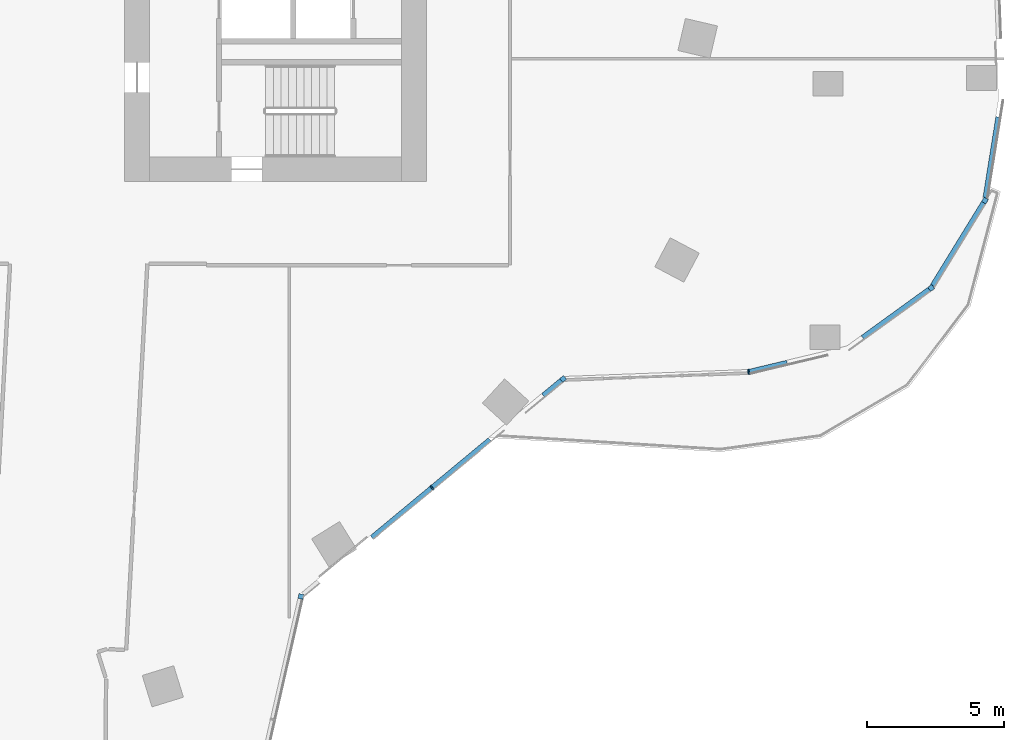
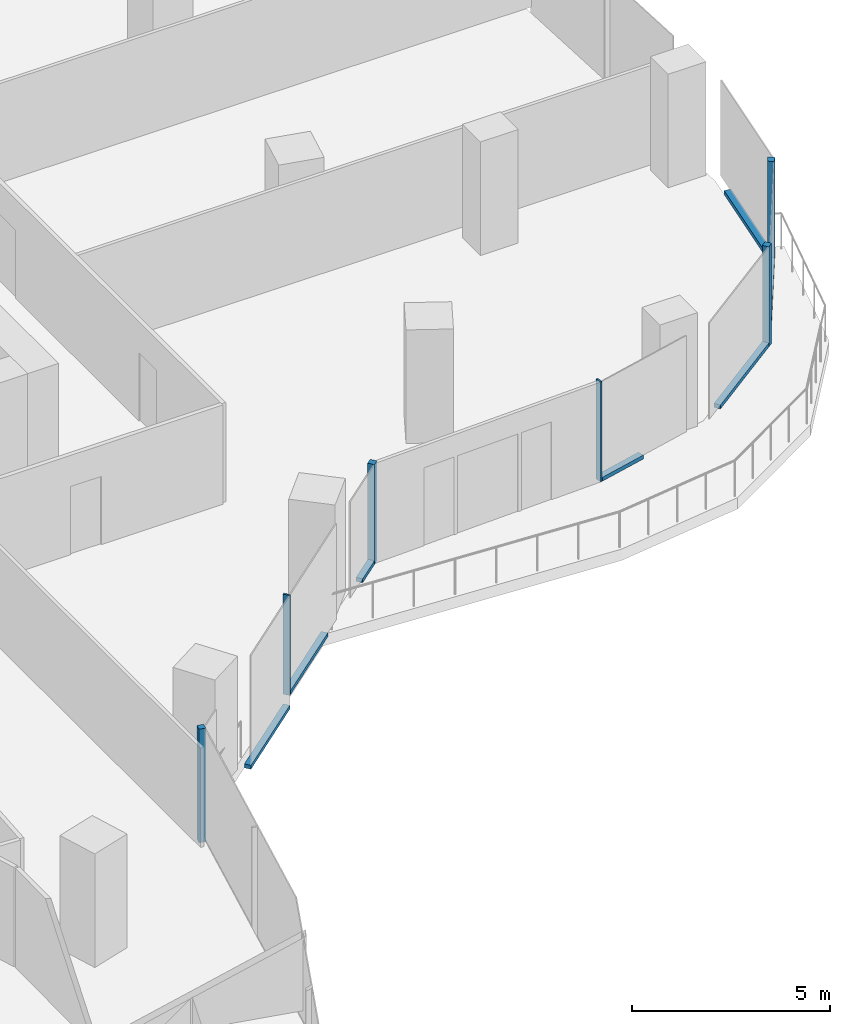
# One storey, part 7 of 28: 13 members, 7 elements without a shape of their own.
"""IFC4 building model written with IfcOpenShell, lengths in metres."""

from ifc_helpers import new_model, si_unit, direction, frame, origin, origin_2d, place, context, subcontext, project, spatial, rectangle, extrude, material, material_profile, profile_set, type_object, element, aggregate, save


model = new_model("IFC4")

# Units and contexts
model_context = context("Model", 3, precision=1e-05, world=origin(), true_north=direction((0.0, 1.0)))
body_context = subcontext(model_context, "Body", "Model", "MODEL_VIEW")
ifc_project = project(units=[si_unit("LENGTHUNIT", "METRE"), si_unit("AREAUNIT", "SQUARE_METRE"), si_unit("VOLUMEUNIT", "CUBIC_METRE"), si_unit("PLANEANGLEUNIT", "RADIAN"), si_unit("MASSUNIT", "GRAM", prefix="KILO")], contexts=[model_context])

# Site, building, storey
site_placement = place(None, origin())
site = spatial("IfcSite", under=ifc_project, at=site_placement, CompositionType="ELEMENT")
building_placement = place(site_placement, origin())
building = spatial("IfcBuilding", under=site, at=building_placement, Name="Orlundy Tower", CompositionType="ELEMENT")
storey_placement = place(building_placement, frame((0.0, 0.0, 167.10009765625)))
storey = spatial("IfcBuildingStorey", under=building, at=storey_placement, Name="L43", CompositionType="ELEMENT", Elevation=167.10009765625)

# Curtain wall, member
ifc_material_1 = material(Name="Aluminium bronze anodised", Category="aluminium")
curtain_wall_type = type_object("IfcCurtainWallType", Name="CW1 wall", PredefinedType="NOTDEFINED", material=ifc_material_1)
curtain_wall_1_placement = place(storey_placement, origin())
curtain_wall_1 = element("IfcCurtainWall", 1, at=curtain_wall_1_placement, inside=storey, type_object=curtain_wall_type, Name="CW1 run 013", PredefinedType="NOTDEFINED")
ifc_material_2 = material(Name="Aluminium bronze anodised", Category="aluminium")
ifc_material_profile_1 = material_profile(ifc_material_2, rectangle(XDim=0.179931640625, YDim=0.179931640625, at=origin_2d()), Name="CW1 corner post 180x180")
ifc_profile_set_1 = profile_set([ifc_material_profile_1], Name="Aluminium bronze anodised")
member_type_1 = type_object("IfcMemberType", Name="CW1 corner post 180x180", PredefinedType="MULLION", material=ifc_profile_set_1)
member_1_placement = place(storey_placement, frame((39.3701171875, -12.69091796875, 0.0), z_axis=(0.0, 0.0, 1.0), x_axis=(0.851824977163, -0.523826505898, 0.0)))
member_1 = element("IfcMember", 2, at=member_1_placement, type_object=member_type_1, Name="CW1 mullion 37", PredefinedType="MULLION", context=body_context, shape_type="SweptSolid", body=[
    extrude(rectangle(XDim=0.179931640625, YDim=0.179931640625, at=origin_2d()), origin(), (0.0, 0.0, 1.0), 3.079833984375),
])

curtain_wall_2_placement = place(storey_placement, origin())
curtain_wall_2 = element("IfcCurtainWall", 3, at=curtain_wall_2_placement, inside=storey, type_object=curtain_wall_type, Name="CW1 run 014", PredefinedType="NOTDEFINED")
member_2_placement = place(storey_placement, frame((37.4091796875, -15.87939453125, 0.0), z_axis=(0.0, 0.0, 1.0), x_axis=(0.586534223909, -0.809924443503, 0.0)))
member_2 = element("IfcMember", 4, at=member_2_placement, type_object=member_type_1, Name="CW1 mullion 38", PredefinedType="MULLION", context=body_context, shape_type="SweptSolid", body=[
    extrude(rectangle(XDim=0.179931640625, YDim=0.179931640625, at=origin_2d()), origin(), (0.0, 0.0, 1.0), 3.079833984375),
])

curtain_wall_3_placement = place(storey_placement, origin())
curtain_wall_3 = element("IfcCurtainWall", 5, at=curtain_wall_3_placement, inside=storey, type_object=curtain_wall_type, Name="CW1 run 017", PredefinedType="NOTDEFINED")
member_3_placement = place(storey_placement, frame((23.989013671875, -19.19677734375, 0.0), z_axis=(0.0, 0.0, 1.0), x_axis=(0.638331239674, -0.769761799816, 0.0)))
member_3 = element("IfcMember", 6, at=member_3_placement, type_object=member_type_1, Name="CW1 mullion 41", PredefinedType="MULLION", context=body_context, shape_type="SweptSolid", body=[
    extrude(rectangle(XDim=0.179931640625, YDim=0.179931640625, at=origin_2d()), origin(), (0.0, 0.0, 1.0), 3.079833984375),
])

curtain_wall_4_placement = place(storey_placement, origin())
curtain_wall_4 = element("IfcCurtainWall", 7, at=curtain_wall_4_placement, inside=storey, type_object=curtain_wall_type, Name="CW1 run 018", PredefinedType="NOTDEFINED")
member_4_placement = place(storey_placement, frame((14.425048828125, -27.127685546875, -0.420166015625), z_axis=(0.0, 0.0, 1.0), x_axis=(0.975022425628, -0.222106437373, 0.0)))
member_4 = element("IfcMember", 8, at=member_4_placement, type_object=member_type_1, Name="CW1 mullion 43", PredefinedType="MULLION", context=body_context, shape_type="SweptSolid", body=[
    extrude(rectangle(XDim=0.179931640625, YDim=0.179931640625, at=origin_2d()), origin(), (0.0, 0.0, 1.0), 3.5),
])
aggregate(curtain_wall_4, [member_4])

curtain_wall_5_placement = place(storey_placement, origin())
curtain_wall_5 = element("IfcCurtainWall", 9, at=curtain_wall_5_placement, inside=storey, type_object=curtain_wall_type, Name="CW1 run 016", PredefinedType="NOTDEFINED")
ifc_material_3 = material(Name="Aluminium bronze anodised", Category="aluminium")
ifc_material_profile_2 = material_profile(ifc_material_3, rectangle(XDim=0.179931640625, YDim=0.050048828125, at=origin_2d()), Name="CW1 mullion 50x180")
ifc_profile_set_2 = profile_set([ifc_material_profile_2], Name="Aluminium bronze anodised")
member_type_2 = type_object("IfcMemberType", Name="CW1 mullion 50x180", PredefinedType="MULLION", material=ifc_profile_set_2)
member_5_placement = place(storey_placement, frame((30.747314453125, -18.941650390625, 0.0), z_axis=(0.0, 0.0, 1.0), x_axis=(0.135671936692, -0.990753816846, 0.0)))
member_5 = element("IfcMember", 10, at=member_5_placement, type_object=member_type_2, Name="CW1 mullion 40", PredefinedType="MULLION", context=body_context, shape_type="SweptSolid", body=[
    extrude(rectangle(XDim=0.179931640625, YDim=0.050048828125, at=origin_2d()), origin(), (0.0, 0.0, 1.0), 3.079833984375),
])
aggregate(curtain_wall_5, [member_5])

# Member
member_6_placement = place(storey_placement, frame((19.20703125, -23.162353515625, 0.0), z_axis=(0.0, 0.0, 1.0), x_axis=(0.638331239674, -0.769761799816, 0.0)))
member_6 = element("IfcMember", 11, at=member_6_placement, type_object=member_type_2, Name="CW1 mullion 42", PredefinedType="MULLION", context=body_context, shape_type="SweptSolid", body=[
    extrude(rectangle(XDim=0.179931640625, YDim=0.050048828125, at=origin_2d()), origin(), (0.0, 0.0, 1.0), 3.079833984375),
])

# Curtain wall, member
curtain_wall_6_placement = place(storey_placement, origin())
curtain_wall_6 = element("IfcCurtainWall", 12, at=curtain_wall_6_placement, inside=storey, type_object=curtain_wall_type, Name="CW1 run 012", PredefinedType="NOTDEFINED")
ifc_material_4 = material(Name="Aluminium bronze anodised", Category="aluminium")
ifc_material_profile_3 = material_profile(ifc_material_4, rectangle(XDim=0.179931640625, YDim=0.1201171875, at=origin_2d()), Name="CW1 transom 180x120")
ifc_profile_set_3 = profile_set([ifc_material_profile_3], Name="Aluminium bronze anodised")
member_type_3 = type_object("IfcMemberType", Name="CW1 transom 180x120", PredefinedType="USERDEFINED", material=ifc_profile_set_3)
member_7_placement = place(storey_placement, frame((39.857177734375, -9.6435546875, 0.059814453125), z_axis=(-0.157824825203, -0.987467125807, 0.0), x_axis=(0.987467125807, -0.157824825203, 0.0)))
member_7 = element("IfcMember", 13, at=member_7_placement, type_object=member_type_3, Name="CW1 transom", ObjectType="TRANSOM", PredefinedType="USERDEFINED", context=body_context, shape_type="SweptSolid", body=[
    extrude(rectangle(XDim=0.179931640625, YDim=0.1201171875, at=origin_2d()), origin(), (0.0, 0.0, 1.0), 2.988525390625),
])
aggregate(curtain_wall_6, [member_7])

# Member
member_8_placement = place(storey_placement, frame((39.322998046875, -12.767578125, 0.059814453125), z_axis=(-0.523875220778, -0.851795018214, 0.0), x_axis=(0.851795018214, -0.523875220778, 0.0)))
member_8 = element("IfcMember", 14, at=member_8_placement, type_object=member_type_3, Name="CW1 transom", ObjectType="TRANSOM", PredefinedType="USERDEFINED", context=body_context, shape_type="SweptSolid", body=[
    extrude(rectangle(XDim=0.179931640625, YDim=0.1201171875, at=origin_2d()), origin(), (0.0, 0.0, 1.0), 3.555908203125),
])

aggregate(curtain_wall_1, [member_1, member_8])

member_9_placement = place(storey_placement, frame((37.33642578125, -15.93212890625, 0.059814453125), z_axis=(-0.809919410314, -0.586541173999, 0.0), x_axis=(0.586541173999, -0.809919410314, 0.0)))
member_9 = element("IfcMember", 15, at=member_9_placement, type_object=member_type_3, Name="CW1 transom", ObjectType="TRANSOM", PredefinedType="USERDEFINED", context=body_context, shape_type="SweptSolid", body=[
    extrude(rectangle(XDim=0.179931640625, YDim=0.1201171875, at=origin_2d()), origin(), (0.0, 0.0, 1.0), 2.99365234375),
])

aggregate(curtain_wall_2, [member_2, member_9])

# Curtain wall, member
curtain_wall_7_placement = place(storey_placement, origin())
curtain_wall_7 = element("IfcCurtainWall", 16, at=curtain_wall_7_placement, inside=storey, type_object=curtain_wall_type, Name="CW1 run 015", PredefinedType="NOTDEFINED")
member_10_placement = place(storey_placement, frame((32.158203125, -18.604736328125, 0.059814453125), z_axis=(-0.97265716099, -0.232245661261, 0.0), x_axis=(0.232245661261, -0.97265716099, 0.0)))
member_10 = element("IfcMember", 17, at=member_10_placement, type_object=member_type_3, Name="CW1 transom", ObjectType="TRANSOM", PredefinedType="USERDEFINED", context=body_context, shape_type="SweptSolid", body=[
    extrude(rectangle(XDim=0.179931640625, YDim=0.1201171875, at=origin_2d()), origin(), (0.0, 0.0, 1.0), 1.425537109375),
])
aggregate(curtain_wall_7, [member_10])

# Member
member_11_placement = place(storey_placement, frame((23.919677734375, -19.254150390625, 0.059814453125), z_axis=(-0.769723589884, -0.638377314114, 0.0), x_axis=(0.638377314114, -0.769723589884, 0.0)))
member_11 = element("IfcMember", 18, at=member_11_placement, type_object=member_type_3, Name="CW1 transom", ObjectType="TRANSOM", PredefinedType="USERDEFINED", context=body_context, shape_type="SweptSolid", body=[
    extrude(rectangle(XDim=0.179931640625, YDim=0.1201171875, at=origin_2d()), origin(), (0.0, 0.0, 1.0), 0.851318359375),
])

member_12_placement = place(storey_placement, frame((21.316162109375, -21.413330078125, 0.059814453125), z_axis=(-0.769818306129, -0.638263092735, 0.0), x_axis=(0.638263092735, -0.769818306129, 0.0)))
member_12 = element("IfcMember", 19, at=member_12_placement, type_object=member_type_3, Name="CW1 transom", ObjectType="TRANSOM", PredefinedType="USERDEFINED", context=body_context, shape_type="SweptSolid", body=[
    extrude(rectangle(XDim=0.179931640625, YDim=0.1201171875, at=origin_2d()), origin(), (0.0, 0.0, 1.0), 2.715087890625),
])

member_13_placement = place(storey_placement, frame((19.187744140625, -23.17822265625, -0.360107421875), z_axis=(-0.76975070304, -0.638344621008, 0.0), x_axis=(0.638344621008, -0.76975070304, 0.0)))
member_13 = element("IfcMember", 20, at=member_13_placement, type_object=member_type_3, Name="CW1 transom", ObjectType="TRANSOM", PredefinedType="USERDEFINED", context=body_context, shape_type="SweptSolid", body=[
    extrude(rectangle(XDim=0.179931640625, YDim=0.1201171875, at=origin_2d()), origin(), (0.0, 0.0, 1.0), 2.822265625),
])

aggregate(curtain_wall_3, [member_3, member_6, member_11, member_12, member_13])

save(model, "model.ifc")
